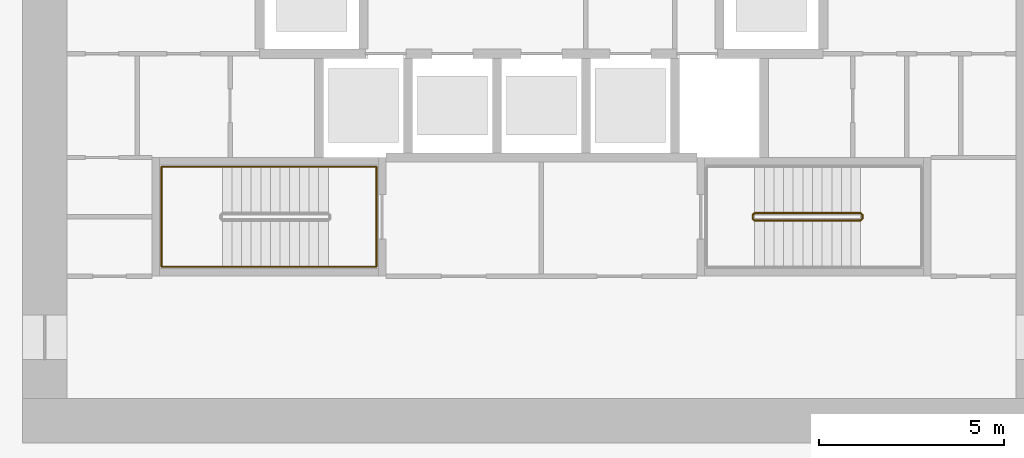
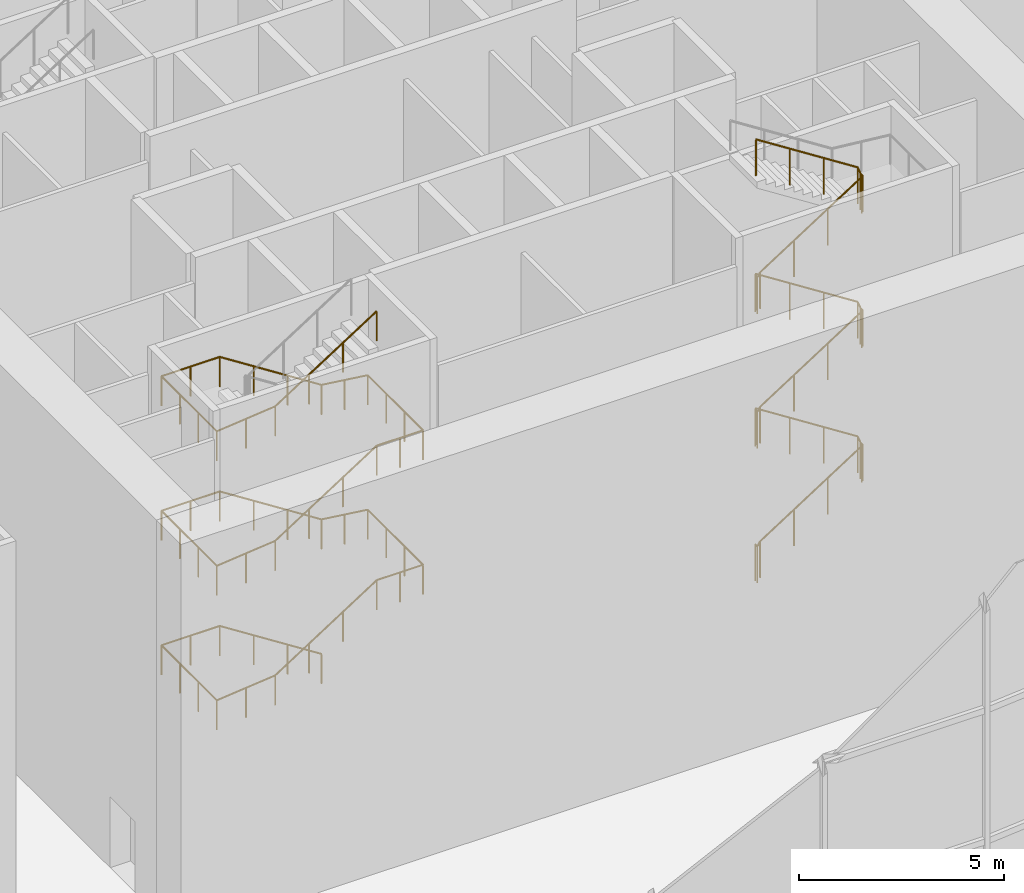
# One storey, part 18 of 25: 2 railings.
"""IFC4 building model written with IfcOpenShell, lengths in metres."""

from ifc_helpers import new_model, si_unit, direction, frame, origin, origin_2d, place, context, subcontext, project, spatial, circle, extrude, source, transform, mapped, material, type_object, element, save


model = new_model("IFC4")

# Units and contexts
model_context = context("Model", 3, precision=1e-05, world=origin(), true_north=direction((0.0, 1.0)))
body_context = subcontext(model_context, "Body", "Model", "MODEL_VIEW")
ifc_project = project(units=[si_unit("LENGTHUNIT", "METRE"), si_unit("AREAUNIT", "SQUARE_METRE"), si_unit("VOLUMEUNIT", "CUBIC_METRE"), si_unit("PLANEANGLEUNIT", "RADIAN"), si_unit("MASSUNIT", "GRAM", prefix="KILO")], contexts=[model_context])

# Site, building, storey
site_placement = place(None, origin())
site = spatial("IfcSite", under=ifc_project, at=site_placement, CompositionType="ELEMENT")
building_placement = place(site_placement, origin())
building = spatial("IfcBuilding", under=site, at=building_placement, Name="Embergate Tower", CompositionType="ELEMENT")
storey_placement = place(building_placement, origin())
storey = spatial("IfcBuildingStorey", under=building, at=storey_placement, Name="L00", CompositionType="ELEMENT", Elevation=0.0)

# Railings
ifc_material_1 = material(Name="Stair handrail 900")
railing_type_1 = type_object("IfcRailingType", Name="Stair handrail 900", PredefinedType="HANDRAIL", material=ifc_material_1)
shared_shape_1 = source(origin(), body_context, "Body", "SweptSolid", [
    extrude(circle(Radius=0.02392578125, at=origin_2d()), frame((0.0, 0.0, 0.8759765625), z_axis=(-0.841899231129, 0.0, 0.539634769658), x_axis=(0.0, -1.0, 0.0)), (0.0, 0.0, 1.0), 3.397216796875),
    extrude(circle(Radius=0.02392578125, at=origin_2d()), frame((-2.860107421875, 0.0, 2.708984375), z_axis=(-1.0, 0.0, 0.0), x_axis=(0.0, -1.0, 0.0)), (0.0, 0.0, 1.0), 1.639892578125),
    extrude(circle(Radius=0.02392578125, at=origin_2d()), frame((-4.5, 0.0, 2.708984375), z_axis=(0.0, -1.0, 0.0), x_axis=(1.0, 0.0, 0.0)), (0.0, 0.0, 1.0), 2.699951171875),
    extrude(circle(Radius=0.02392578125, at=origin_2d()), frame((-4.5, -2.699951171875, 2.708984375), z_axis=(0.99487010061, 0.0, 0.101160678683), x_axis=(0.0, 1.0, 0.0)), (0.0, 0.0, 1.0), 1.6484375),
    extrude(circle(Radius=0.02392578125, at=origin_2d()), frame((-2.860107421875, -2.699951171875, 2.8759765625), z_axis=(0.841899231129, 0.0, 0.539634769658), x_axis=(0.0, 1.0, 0.0)), (0.0, 0.0, 1.0), 3.397216796875),
    extrude(circle(Radius=0.02392578125, at=origin_2d()), frame((0.0, -2.699951171875, 4.708984375), z_axis=(1.0, 0.0, 0.0), x_axis=(0.0, 1.0, 0.0)), (0.0, 0.0, 1.0), 1.300048828125),
    extrude(circle(Radius=0.02392578125, at=origin_2d()), frame((1.300048828125, -2.699951171875, 4.708984375), z_axis=(0.0, 1.0, 0.0), x_axis=(-1.0, 0.0, 0.0)), (0.0, 0.0, 1.0), 2.699951171875),
    extrude(circle(Radius=0.02392578125, at=origin_2d()), frame((1.300048828125, 0.0, 4.708984375), z_axis=(-0.991874434073, 0.0, 0.12722070206), x_axis=(0.0, -1.0, 0.0)), (0.0, 0.0, 1.0), 1.310791015625),
    extrude(circle(Radius=0.02392578125, at=origin_2d()), frame((0.0, 0.0, 4.8759765625), z_axis=(-0.841899231129, 0.0, 0.539634769658), x_axis=(0.0, -1.0, 0.0)), (0.0, 0.0, 1.0), 3.397216796875),
    extrude(circle(Radius=0.02392578125, at=origin_2d()), frame((-2.860107421875, 0.0, 6.708984375), z_axis=(-1.0, 0.0, 0.0), x_axis=(0.0, -1.0, 0.0)), (0.0, 0.0, 1.0), 1.639892578125),
    extrude(circle(Radius=0.02392578125, at=origin_2d()), frame((-4.5, 0.0, 6.708984375), z_axis=(0.0, -1.0, 0.0), x_axis=(1.0, 0.0, 0.0)), (0.0, 0.0, 1.0), 2.699951171875),
    extrude(circle(Radius=0.02392578125, at=origin_2d()), frame((-4.5, -2.699951171875, 6.708984375), z_axis=(0.99487010061, 0.0, 0.101160678683), x_axis=(0.0, 1.0, 0.0)), (0.0, 0.0, 1.0), 1.6484375),
    extrude(circle(Radius=0.02392578125, at=origin_2d()), frame((-2.860107421875, -2.699951171875, 6.8759765625), z_axis=(0.841899231129, 0.0, 0.539634769658), x_axis=(0.0, 1.0, 0.0)), (0.0, 0.0, 1.0), 3.397216796875),
    extrude(circle(Radius=0.02392578125, at=origin_2d()), frame((0.0, -2.699951171875, 8.708984375), z_axis=(1.0, 0.0, 0.0), x_axis=(0.0, 1.0, 0.0)), (0.0, 0.0, 1.0), 1.300048828125),
    extrude(circle(Radius=0.02392578125, at=origin_2d()), frame((1.300048828125, -2.699951171875, 8.708984375), z_axis=(0.0, 1.0, 0.0), x_axis=(-1.0, 0.0, 0.0)), (0.0, 0.0, 1.0), 2.699951171875),
    extrude(circle(Radius=0.02392578125, at=origin_2d()), frame((1.300048828125, 0.0, 8.708984375), z_axis=(-0.991874434073, 0.0, 0.12722070206), x_axis=(0.0, -1.0, 0.0)), (0.0, 0.0, 1.0), 1.310791015625),
    extrude(circle(Radius=0.02392578125, at=origin_2d()), frame((0.0, 0.0, 8.8759765625), z_axis=(-0.841899231129, 0.0, 0.539634769658), x_axis=(0.0, -1.0, 0.0)), (0.0, 0.0, 1.0), 3.397216796875),
    extrude(circle(Radius=0.02392578125, at=origin_2d()), frame((-2.860107421875, 0.0, 10.708984375), z_axis=(-1.0, 0.0, 0.0), x_axis=(0.0, -1.0, 0.0)), (0.0, 0.0, 1.0), 1.639892578125),
    extrude(circle(Radius=0.02392578125, at=origin_2d()), frame((-4.5, 0.0, 10.708984375), z_axis=(0.0, -1.0, 0.0), x_axis=(1.0, 0.0, 0.0)), (0.0, 0.0, 1.0), 2.699951171875),
    extrude(circle(Radius=0.02392578125, at=origin_2d()), frame((-4.5, -2.699951171875, 10.708984375), z_axis=(0.99487010061, 0.0, 0.101160678683), x_axis=(0.0, 1.0, 0.0)), (0.0, 0.0, 1.0), 1.6484375),
    extrude(circle(Radius=0.02392578125, at=origin_2d()), frame((-2.860107421875, -2.699951171875, 10.8759765625), z_axis=(0.841899231129, 0.0, 0.539634769658), x_axis=(0.0, 1.0, 0.0)), (0.0, 0.0, 1.0), 3.397216796875),
    extrude(circle(Radius=0.02099609375, at=origin_2d()), origin(), (0.0, 0.0, 1.0), 0.851806640625),
    extrude(circle(Radius=0.02099609375, at=origin_2d()), frame((-0.953369140625, 0.0, 0.611083984375)), (0.0, 0.0, 1.0), 0.851806640625),
    extrude(circle(Radius=0.02099609375, at=origin_2d()), frame((-1.90673828125, 0.0, 1.22216796875)), (0.0, 0.0, 1.0), 0.851806640625),
    extrude(circle(Radius=0.02099609375, at=origin_2d()), frame((-2.860107421875, 0.0, 1.833251953125)), (0.0, 0.0, 1.0), 0.851806640625),
    extrude(circle(Radius=0.02099609375, at=origin_2d()), frame((-3.68017578125, 0.0, 1.833251953125)), (0.0, 0.0, 1.0), 0.851806640625),
    extrude(circle(Radius=0.02099609375, at=origin_2d()), frame((-4.5, 0.0, 1.833251953125)), (0.0, 0.0, 1.0), 0.851806640625),
    extrude(circle(Radius=0.02099609375, at=origin_2d()), frame((-4.5, -0.89990234375, 1.833251953125)), (0.0, 0.0, 1.0), 0.851806640625),
    extrude(circle(Radius=0.02099609375, at=origin_2d()), frame((-4.5, -1.800048828125, 1.833251953125)), (0.0, 0.0, 1.0), 0.851806640625),
    extrude(circle(Radius=0.02099609375, at=origin_2d()), frame((-4.5, -2.699951171875, 1.833251953125)), (0.0, 0.0, 1.0), 0.851806640625),
    extrude(circle(Radius=0.02099609375, at=origin_2d()), frame((-3.68017578125, -2.699951171875, 1.91650390625)), (0.0, 0.0, 1.0), 0.851806640625),
    extrude(circle(Radius=0.02099609375, at=origin_2d()), frame((-2.860107421875, -2.699951171875, 2.0)), (0.0, 0.0, 1.0), 0.851806640625),
    extrude(circle(Radius=0.02099609375, at=origin_2d()), frame((-1.90673828125, -2.699951171875, 2.611083984375)), (0.0, 0.0, 1.0), 0.851806640625),
    extrude(circle(Radius=0.02099609375, at=origin_2d()), frame((-0.953369140625, -2.699951171875, 3.22216796875)), (0.0, 0.0, 1.0), 0.851806640625),
    extrude(circle(Radius=0.02099609375, at=origin_2d()), frame((0.0, -2.699951171875, 3.833251953125)), (0.0, 0.0, 1.0), 0.851806640625),
    extrude(circle(Radius=0.02099609375, at=origin_2d()), frame((0.64990234375, -2.699951171875, 3.833251953125)), (0.0, 0.0, 1.0), 0.851806640625),
    extrude(circle(Radius=0.02099609375, at=origin_2d()), frame((1.300048828125, -2.699951171875, 3.833251953125)), (0.0, 0.0, 1.0), 0.851806640625),
    extrude(circle(Radius=0.02099609375, at=origin_2d()), frame((1.300048828125, -1.800048828125, 3.833251953125)), (0.0, 0.0, 1.0), 0.851806640625),
    extrude(circle(Radius=0.02099609375, at=origin_2d()), frame((1.300048828125, -0.89990234375, 3.833251953125)), (0.0, 0.0, 1.0), 0.851806640625),
    extrude(circle(Radius=0.02099609375, at=origin_2d()), frame((1.300048828125, 0.0, 3.833251953125)), (0.0, 0.0, 1.0), 0.851806640625),
    extrude(circle(Radius=0.02099609375, at=origin_2d()), frame((0.64990234375, 0.0, 3.91650390625)), (0.0, 0.0, 1.0), 0.851806640625),
    extrude(circle(Radius=0.02099609375, at=origin_2d()), frame((0.0, 0.0, 4.0)), (0.0, 0.0, 1.0), 0.851806640625),
    extrude(circle(Radius=0.02099609375, at=origin_2d()), frame((-0.953369140625, 0.0, 4.611083984375)), (0.0, 0.0, 1.0), 0.851806640625),
    extrude(circle(Radius=0.02099609375, at=origin_2d()), frame((-1.90673828125, 0.0, 5.22216796875)), (0.0, 0.0, 1.0), 0.851806640625),
    extrude(circle(Radius=0.02099609375, at=origin_2d()), frame((-2.860107421875, 0.0, 5.833251953125)), (0.0, 0.0, 1.0), 0.851806640625),
    extrude(circle(Radius=0.02099609375, at=origin_2d()), frame((-3.68017578125, 0.0, 5.833251953125)), (0.0, 0.0, 1.0), 0.851806640625),
    extrude(circle(Radius=0.02099609375, at=origin_2d()), frame((-4.5, 0.0, 5.833251953125)), (0.0, 0.0, 1.0), 0.851806640625),
    extrude(circle(Radius=0.02099609375, at=origin_2d()), frame((-4.5, -0.89990234375, 5.833251953125)), (0.0, 0.0, 1.0), 0.851806640625),
    extrude(circle(Radius=0.02099609375, at=origin_2d()), frame((-4.5, -1.800048828125, 5.833251953125)), (0.0, 0.0, 1.0), 0.851806640625),
    extrude(circle(Radius=0.02099609375, at=origin_2d()), frame((-4.5, -2.699951171875, 5.833251953125)), (0.0, 0.0, 1.0), 0.851806640625),
    extrude(circle(Radius=0.02099609375, at=origin_2d()), frame((-3.68017578125, -2.699951171875, 5.91650390625)), (0.0, 0.0, 1.0), 0.851806640625),
    extrude(circle(Radius=0.02099609375, at=origin_2d()), frame((-2.860107421875, -2.699951171875, 6.0)), (0.0, 0.0, 1.0), 0.851806640625),
    extrude(circle(Radius=0.02099609375, at=origin_2d()), frame((-1.90673828125, -2.699951171875, 6.611083984375)), (0.0, 0.0, 1.0), 0.851806640625),
    extrude(circle(Radius=0.02099609375, at=origin_2d()), frame((-0.953369140625, -2.699951171875, 7.22216796875)), (0.0, 0.0, 1.0), 0.851806640625),
    extrude(circle(Radius=0.02099609375, at=origin_2d()), frame((0.0, -2.699951171875, 7.833251953125)), (0.0, 0.0, 1.0), 0.851806640625),
    extrude(circle(Radius=0.02099609375, at=origin_2d()), frame((0.64990234375, -2.699951171875, 7.833251953125)), (0.0, 0.0, 1.0), 0.851806640625),
    extrude(circle(Radius=0.02099609375, at=origin_2d()), frame((1.300048828125, -2.699951171875, 7.833251953125)), (0.0, 0.0, 1.0), 0.851806640625),
    extrude(circle(Radius=0.02099609375, at=origin_2d()), frame((1.300048828125, -1.800048828125, 7.833251953125)), (0.0, 0.0, 1.0), 0.851806640625),
    extrude(circle(Radius=0.02099609375, at=origin_2d()), frame((1.300048828125, -0.89990234375, 7.833251953125)), (0.0, 0.0, 1.0), 0.851806640625),
    extrude(circle(Radius=0.02099609375, at=origin_2d()), frame((1.300048828125, 0.0, 7.833251953125)), (0.0, 0.0, 1.0), 0.851806640625),
    extrude(circle(Radius=0.02099609375, at=origin_2d()), frame((0.64990234375, 0.0, 7.91650390625)), (0.0, 0.0, 1.0), 0.851806640625),
    extrude(circle(Radius=0.02099609375, at=origin_2d()), frame((0.0, 0.0, 8.0)), (0.0, 0.0, 1.0), 0.851806640625),
    extrude(circle(Radius=0.02099609375, at=origin_2d()), frame((-0.953369140625, 0.0, 8.611083984375)), (0.0, 0.0, 1.0), 0.851806640625),
    extrude(circle(Radius=0.02099609375, at=origin_2d()), frame((-1.90673828125, 0.0, 9.22216796875)), (0.0, 0.0, 1.0), 0.851806640625),
    extrude(circle(Radius=0.02099609375, at=origin_2d()), frame((-2.860107421875, 0.0, 9.833251953125)), (0.0, 0.0, 1.0), 0.851806640625),
    extrude(circle(Radius=0.02099609375, at=origin_2d()), frame((-3.68017578125, 0.0, 9.833251953125)), (0.0, 0.0, 1.0), 0.851806640625),
    extrude(circle(Radius=0.02099609375, at=origin_2d()), frame((-4.5, 0.0, 9.833251953125)), (0.0, 0.0, 1.0), 0.851806640625),
    extrude(circle(Radius=0.02099609375, at=origin_2d()), frame((-4.5, -0.89990234375, 9.833251953125)), (0.0, 0.0, 1.0), 0.851806640625),
    extrude(circle(Radius=0.02099609375, at=origin_2d()), frame((-4.5, -1.800048828125, 9.833251953125)), (0.0, 0.0, 1.0), 0.851806640625),
    extrude(circle(Radius=0.02099609375, at=origin_2d()), frame((-4.5, -2.699951171875, 9.833251953125)), (0.0, 0.0, 1.0), 0.851806640625),
    extrude(circle(Radius=0.02099609375, at=origin_2d()), frame((-3.68017578125, -2.699951171875, 9.91650390625)), (0.0, 0.0, 1.0), 0.851806640625),
    extrude(circle(Radius=0.02099609375, at=origin_2d()), frame((-2.860107421875, -2.699951171875, 10.0)), (0.0, 0.0, 1.0), 0.851806640625),
    extrude(circle(Radius=0.02099609375, at=origin_2d()), frame((-1.90673828125, -2.699951171875, 10.611083984375)), (0.0, 0.0, 1.0), 0.851806640625),
    extrude(circle(Radius=0.02099609375, at=origin_2d()), frame((-0.953369140625, -2.699951171875, 11.22216796875)), (0.0, 0.0, 1.0), 0.851806640625),
    extrude(circle(Radius=0.02099609375, at=origin_2d()), frame((0.0, -2.699951171875, 11.833251953125)), (0.0, 0.0, 1.0), 0.851806640625),
])
railing_1_placement = place(storey_placement, frame((-5.75, -5.550048828125, 0.166748046875)))
element("IfcRailing", 1, at=railing_1_placement, inside=storey, type_object=railing_type_1, Name="L00 ST3 stair handrail 1", PredefinedType="HANDRAIL", context=body_context, shape_type="MappedRepresentation", body=[
    mapped(shared_shape_1, transform((0.0, 0.0, 0.0))),
])
ifc_material_2 = material(Name="Stair guard 1100")
railing_type_2 = type_object("IfcRailingType", Name="Stair guard 1100", PredefinedType="GUARDRAIL", material=ifc_material_2)
shared_shape_2 = source(origin(), body_context, "Body", "SweptSolid", [
    extrude(circle(Radius=0.02392578125, at=origin_2d()), frame((0.0, 0.0, 1.076171875), z_axis=(0.0, -1.0, 0.0), x_axis=(1.0, 0.0, 0.0)), (0.0, 0.0, 1.0), 0.099853515625),
    extrude(circle(Radius=0.02392578125, at=origin_2d()), frame((0.0, -0.099853515625, 1.076171875), z_axis=(0.27628659633, -0.27628659633, 0.920506074601), x_axis=(0.707106781187, 0.707106781187, 0.0)), (0.0, 0.0, 1.0), 0.18115234375),
    extrude(circle(Radius=0.02392578125, at=origin_2d()), frame((0.050048828125, -0.14990234375, 1.24267578125), z_axis=(0.841899231129, 0.0, 0.539634769658), x_axis=(0.0, 1.0, 0.0)), (0.0, 0.0, 1.0), 3.397216796875),
    extrude(circle(Radius=0.02392578125, at=origin_2d()), frame((2.91015625, -0.14990234375, 3.076171875), z_axis=(0.705375805398, 0.708833529934, 0.0), x_axis=(-0.708833529934, 0.705375805398, 0.0)), (0.0, 0.0, 1.0), 0.070556640625),
    extrude(circle(Radius=0.02392578125, at=origin_2d()), frame((2.9599609375, -0.099853515625, 3.076171875), z_axis=(0.0, 1.0, 0.0), x_axis=(-1.0, 0.0, 0.0)), (0.0, 0.0, 1.0), 0.099853515625),
    extrude(circle(Radius=0.02392578125, at=origin_2d()), frame((2.9599609375, 0.0, 3.076171875), z_axis=(-0.275041040955, 0.276389281352, 0.920848191041), x_axis=(-0.708833529934, -0.705375805398, 0.0)), (0.0, 0.0, 1.0), 0.18115234375),
    extrude(circle(Radius=0.02392578125, at=origin_2d()), frame((2.91015625, 0.050048828125, 3.24267578125), z_axis=(-0.841899231129, 0.0, 0.539634769658), x_axis=(0.0, -1.0, 0.0)), (0.0, 0.0, 1.0), 3.397216796875),
    extrude(circle(Radius=0.02392578125, at=origin_2d()), frame((0.050048828125, 0.050048828125, 5.076171875), z_axis=(-0.707106781187, -0.707106781187, 0.0), x_axis=(0.707106781187, -0.707106781187, 0.0)), (0.0, 0.0, 1.0), 0.07080078125),
    extrude(circle(Radius=0.02392578125, at=origin_2d()), frame((0.0, 0.0, 5.076171875), z_axis=(0.0, -1.0, 0.0), x_axis=(1.0, 0.0, 0.0)), (0.0, 0.0, 1.0), 0.099853515625),
    extrude(circle(Radius=0.02392578125, at=origin_2d()), frame((0.0, -0.099853515625, 5.076171875), z_axis=(0.27628659633, -0.27628659633, 0.920506074601), x_axis=(0.707106781187, 0.707106781187, 0.0)), (0.0, 0.0, 1.0), 0.18115234375),
    extrude(circle(Radius=0.02392578125, at=origin_2d()), frame((0.050048828125, -0.14990234375, 5.24267578125), z_axis=(0.841899231129, 0.0, 0.539634769658), x_axis=(0.0, 1.0, 0.0)), (0.0, 0.0, 1.0), 3.397216796875),
    extrude(circle(Radius=0.02392578125, at=origin_2d()), frame((2.91015625, -0.14990234375, 7.076171875), z_axis=(0.705375805398, 0.708833529934, 0.0), x_axis=(-0.708833529934, 0.705375805398, 0.0)), (0.0, 0.0, 1.0), 0.070556640625),
    extrude(circle(Radius=0.02392578125, at=origin_2d()), frame((2.9599609375, -0.099853515625, 7.076171875), z_axis=(0.0, 1.0, 0.0), x_axis=(-1.0, 0.0, 0.0)), (0.0, 0.0, 1.0), 0.099853515625),
    extrude(circle(Radius=0.02392578125, at=origin_2d()), frame((2.9599609375, 0.0, 7.076171875), z_axis=(-0.275041040955, 0.276389281352, 0.920848191041), x_axis=(-0.708833529934, -0.705375805398, 0.0)), (0.0, 0.0, 1.0), 0.18115234375),
    extrude(circle(Radius=0.02392578125, at=origin_2d()), frame((2.91015625, 0.050048828125, 7.24267578125), z_axis=(-0.841899231129, 0.0, 0.539634769658), x_axis=(0.0, -1.0, 0.0)), (0.0, 0.0, 1.0), 3.397216796875),
    extrude(circle(Radius=0.02392578125, at=origin_2d()), frame((0.050048828125, 0.050048828125, 9.076171875), z_axis=(-0.707106781187, -0.707106781187, 0.0), x_axis=(0.707106781187, -0.707106781187, 0.0)), (0.0, 0.0, 1.0), 0.07080078125),
    extrude(circle(Radius=0.02392578125, at=origin_2d()), frame((0.0, 0.0, 9.076171875), z_axis=(0.0, -1.0, 0.0), x_axis=(1.0, 0.0, 0.0)), (0.0, 0.0, 1.0), 0.099853515625),
    extrude(circle(Radius=0.02392578125, at=origin_2d()), frame((0.0, -0.099853515625, 9.076171875), z_axis=(0.27628659633, -0.27628659633, 0.920506074601), x_axis=(0.707106781187, 0.707106781187, 0.0)), (0.0, 0.0, 1.0), 0.18115234375),
    extrude(circle(Radius=0.02392578125, at=origin_2d()), frame((0.050048828125, -0.14990234375, 9.24267578125), z_axis=(0.841899231129, 0.0, 0.539634769658), x_axis=(0.0, 1.0, 0.0)), (0.0, 0.0, 1.0), 3.397216796875),
    extrude(circle(Radius=0.02392578125, at=origin_2d()), frame((2.91015625, -0.14990234375, 11.076171875), z_axis=(0.705375805398, 0.708833529934, 0.0), x_axis=(-0.708833529934, 0.705375805398, 0.0)), (0.0, 0.0, 1.0), 0.070556640625),
    extrude(circle(Radius=0.02392578125, at=origin_2d()), frame((2.9599609375, -0.099853515625, 11.076171875), z_axis=(0.0, 1.0, 0.0), x_axis=(-1.0, 0.0, 0.0)), (0.0, 0.0, 1.0), 0.099853515625),
    extrude(circle(Radius=0.02392578125, at=origin_2d()), frame((2.9599609375, 0.0, 11.076171875), z_axis=(-0.275041040955, 0.276389281352, 0.920848191041), x_axis=(-0.708833529934, -0.705375805398, 0.0)), (0.0, 0.0, 1.0), 0.18115234375),
    extrude(circle(Radius=0.02392578125, at=origin_2d()), frame((2.91015625, 0.050048828125, 11.24267578125), z_axis=(-0.841899231129, 0.0, 0.539634769658), x_axis=(0.0, -1.0, 0.0)), (0.0, 0.0, 1.0), 3.397216796875),
    extrude(circle(Radius=0.02099609375, at=origin_2d()), origin(), (0.0, 0.0, 1.0), 1.052001953125),
    extrude(circle(Radius=0.02099609375, at=origin_2d()), frame((0.0, -0.099853515625, 0.0)), (0.0, 0.0, 1.0), 1.052001953125),
    extrude(circle(Radius=0.02099609375, at=origin_2d()), frame((0.050048828125, -0.14990234375, 0.166748046875)), (0.0, 0.0, 1.0), 1.052001953125),
    extrude(circle(Radius=0.02099609375, at=origin_2d()), frame((1.00341796875, -0.14990234375, 0.77783203125)), (0.0, 0.0, 1.0), 1.052001953125),
    extrude(circle(Radius=0.02099609375, at=origin_2d()), frame((1.956787109375, -0.14990234375, 1.388916015625)), (0.0, 0.0, 1.0), 1.052001953125),
    extrude(circle(Radius=0.02099609375, at=origin_2d()), frame((2.91015625, -0.14990234375, 2.0)), (0.0, 0.0, 1.0), 1.052001953125),
    extrude(circle(Radius=0.02099609375, at=origin_2d()), frame((2.9599609375, -0.099853515625, 2.0)), (0.0, 0.0, 1.0), 1.052001953125),
    extrude(circle(Radius=0.02099609375, at=origin_2d()), frame((2.9599609375, 0.0, 2.0)), (0.0, 0.0, 1.0), 1.052001953125),
    extrude(circle(Radius=0.02099609375, at=origin_2d()), frame((2.91015625, 0.050048828125, 2.166748046875)), (0.0, 0.0, 1.0), 1.052001953125),
    extrude(circle(Radius=0.02099609375, at=origin_2d()), frame((1.956787109375, 0.050048828125, 2.77783203125)), (0.0, 0.0, 1.0), 1.052001953125),
    extrude(circle(Radius=0.02099609375, at=origin_2d()), frame((1.00341796875, 0.050048828125, 3.388916015625)), (0.0, 0.0, 1.0), 1.052001953125),
    extrude(circle(Radius=0.02099609375, at=origin_2d()), frame((0.050048828125, 0.050048828125, 4.0)), (0.0, 0.0, 1.0), 1.052001953125),
    extrude(circle(Radius=0.02099609375, at=origin_2d()), frame((0.0, 0.0, 4.0)), (0.0, 0.0, 1.0), 1.052001953125),
    extrude(circle(Radius=0.02099609375, at=origin_2d()), frame((0.0, -0.099853515625, 4.0)), (0.0, 0.0, 1.0), 1.052001953125),
    extrude(circle(Radius=0.02099609375, at=origin_2d()), frame((0.050048828125, -0.14990234375, 4.166748046875)), (0.0, 0.0, 1.0), 1.052001953125),
    extrude(circle(Radius=0.02099609375, at=origin_2d()), frame((1.00341796875, -0.14990234375, 4.77783203125)), (0.0, 0.0, 1.0), 1.052001953125),
    extrude(circle(Radius=0.02099609375, at=origin_2d()), frame((1.956787109375, -0.14990234375, 5.388916015625)), (0.0, 0.0, 1.0), 1.052001953125),
    extrude(circle(Radius=0.02099609375, at=origin_2d()), frame((2.91015625, -0.14990234375, 6.0)), (0.0, 0.0, 1.0), 1.052001953125),
    extrude(circle(Radius=0.02099609375, at=origin_2d()), frame((2.9599609375, -0.099853515625, 6.0)), (0.0, 0.0, 1.0), 1.052001953125),
    extrude(circle(Radius=0.02099609375, at=origin_2d()), frame((2.9599609375, 0.0, 6.0)), (0.0, 0.0, 1.0), 1.052001953125),
    extrude(circle(Radius=0.02099609375, at=origin_2d()), frame((2.91015625, 0.050048828125, 6.166748046875)), (0.0, 0.0, 1.0), 1.052001953125),
    extrude(circle(Radius=0.02099609375, at=origin_2d()), frame((1.956787109375, 0.050048828125, 6.77783203125)), (0.0, 0.0, 1.0), 1.052001953125),
    extrude(circle(Radius=0.02099609375, at=origin_2d()), frame((1.00341796875, 0.050048828125, 7.388916015625)), (0.0, 0.0, 1.0), 1.052001953125),
    extrude(circle(Radius=0.02099609375, at=origin_2d()), frame((0.050048828125, 0.050048828125, 8.0)), (0.0, 0.0, 1.0), 1.052001953125),
    extrude(circle(Radius=0.02099609375, at=origin_2d()), frame((0.0, 0.0, 8.0)), (0.0, 0.0, 1.0), 1.052001953125),
    extrude(circle(Radius=0.02099609375, at=origin_2d()), frame((0.0, -0.099853515625, 8.0)), (0.0, 0.0, 1.0), 1.052001953125),
    extrude(circle(Radius=0.02099609375, at=origin_2d()), frame((0.050048828125, -0.14990234375, 8.166748046875)), (0.0, 0.0, 1.0), 1.052001953125),
    extrude(circle(Radius=0.02099609375, at=origin_2d()), frame((1.00341796875, -0.14990234375, 8.77783203125)), (0.0, 0.0, 1.0), 1.052001953125),
    extrude(circle(Radius=0.02099609375, at=origin_2d()), frame((1.956787109375, -0.14990234375, 9.388916015625)), (0.0, 0.0, 1.0), 1.052001953125),
    extrude(circle(Radius=0.02099609375, at=origin_2d()), frame((2.91015625, -0.14990234375, 10.0)), (0.0, 0.0, 1.0), 1.052001953125),
    extrude(circle(Radius=0.02099609375, at=origin_2d()), frame((2.9599609375, -0.099853515625, 10.0)), (0.0, 0.0, 1.0), 1.052001953125),
    extrude(circle(Radius=0.02099609375, at=origin_2d()), frame((2.9599609375, 0.0, 10.0)), (0.0, 0.0, 1.0), 1.052001953125),
    extrude(circle(Radius=0.02099609375, at=origin_2d()), frame((2.91015625, 0.050048828125, 10.166748046875)), (0.0, 0.0, 1.0), 1.052001953125),
    extrude(circle(Radius=0.02099609375, at=origin_2d()), frame((1.956787109375, 0.050048828125, 10.77783203125)), (0.0, 0.0, 1.0), 1.052001953125),
    extrude(circle(Radius=0.02099609375, at=origin_2d()), frame((1.00341796875, 0.050048828125, 11.388916015625)), (0.0, 0.0, 1.0), 1.052001953125),
    extrude(circle(Radius=0.02099609375, at=origin_2d()), frame((0.050048828125, 0.050048828125, 12.0)), (0.0, 0.0, 1.0), 1.052001953125),
])
railing_2_placement = place(storey_placement, frame((5.699951171875, -6.85009765625, 0.0)))
element("IfcRailing", 2, at=railing_2_placement, inside=storey, type_object=railing_type_2, Name="L00 ST4 stair guard 1", PredefinedType="GUARDRAIL", context=body_context, shape_type="MappedRepresentation", body=[
    mapped(shared_shape_2, transform((0.0, 0.0, 0.0))),
])

save(model, "model.ifc")
